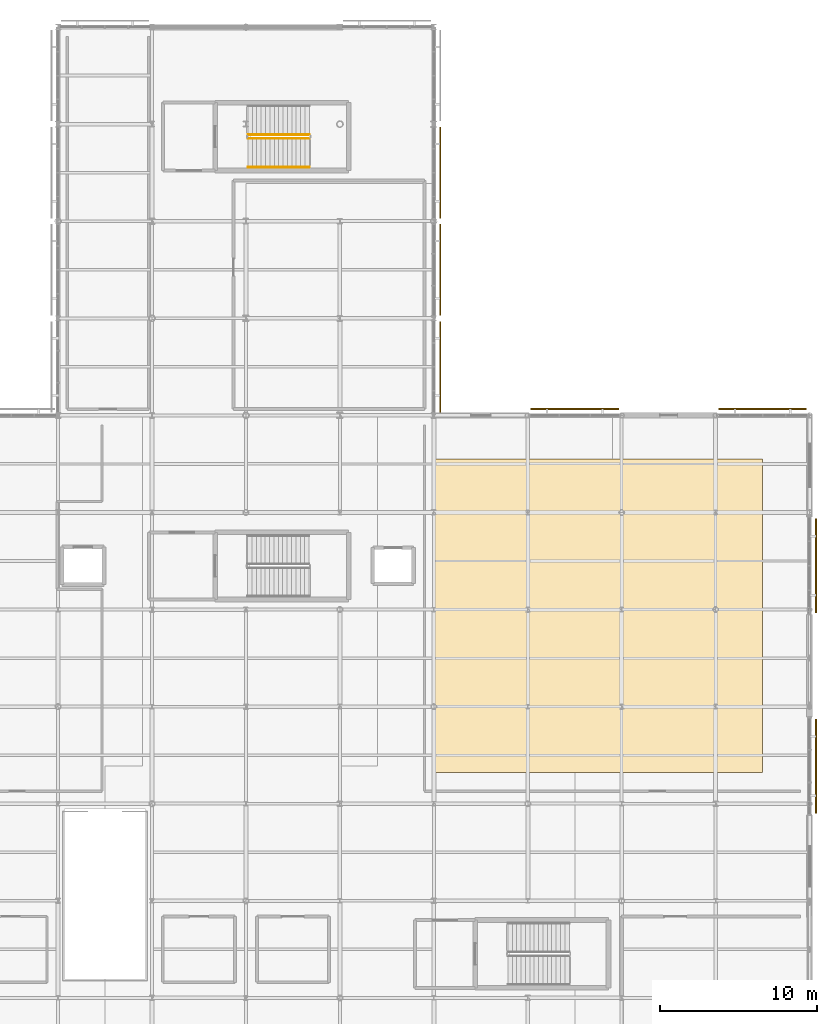
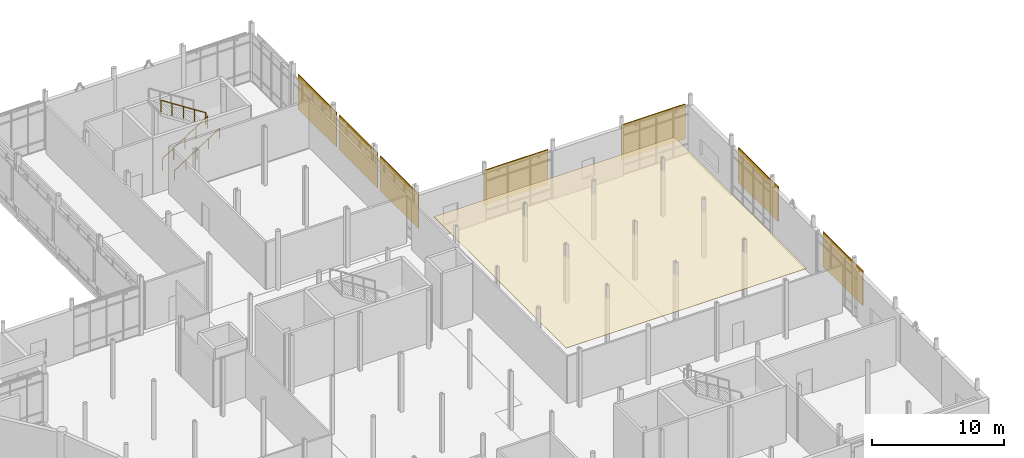
# One storey, part 104 of 105: 7 shading devices, 3 railings, 1 covering.
"""IFC4 building model written with IfcOpenShell, lengths in metres."""

import ifcopenshell
import ifcopenshell.guid

model = None  # the IFC model being written
_history = None  # IfcOwnerHistory: only IFC2X3 demands one
_inside = {}  # id of a spatial element -> (the spatial element, [elements in it])
_under = {}  # id of a project, library or spatial element -> (it, [spatial elements below it])
_declared = {}  # id of a project -> (the project, [libraries it declares])
_typed = {}  # id of a type object -> (the type object, [elements of that type])
_made_of = {}  # id of a material, layer set ... -> (it, [elements and type objects made of it])


def new_model(schema):
    """Start an empty IFC model of exactly this schema.

    Asked for "IFC4X3", IfcOpenShell would pick the latest addendum, in which some entities
    have other attributes; the version numbers below select the first issue.
    IFC2X3 requires an IfcOwnerHistory on every rooted entity: one is made here for all.
    """
    global model, _history
    if schema == "IFC4X3":
        model = ifcopenshell.file(schema_version=(4, 3, 0, 0))
    else:
        model = ifcopenshell.file(schema=schema)
    _inside.clear()
    _under.clear()
    _declared.clear()
    _typed.clear()
    _made_of.clear()
    _history = None
    if model.schema == "IFC2X3":
        org = make("IfcOrganization", Name="unknown")
        user = make(
            "IfcPersonAndOrganization",
            ThePerson=make("IfcPerson", FamilyName="unknown"),
            TheOrganization=org,
        )
        app = make(
            "IfcApplication",
            ApplicationDeveloper=org,
            Version="unknown",
            ApplicationFullName="unknown",
            ApplicationIdentifier="unknown",
        )
        _history = make(
            "IfcOwnerHistory",
            OwningUser=user,
            OwningApplication=app,
            ChangeAction="ADDED",
            CreationDate=0,
        )
    return model


def make(cls, **values):
    """One entity of the class cls with the attributes given. An attribute that is None is left unset."""
    return model.create_entity(
        cls, **{name: value for name, value in values.items() if value is not None}
    )


def rooted(cls, **values):
    """An entity with a GlobalId (a new one), such as an element, a storey or a relation."""
    return make(cls, GlobalId=ifcopenshell.guid.new(), OwnerHistory=_history, **values)


def si_unit(unit_type, name, prefix=None):
    """IfcSIUnit, for example si_unit("LENGTHUNIT", "METRE", prefix="MILLI")."""
    return make("IfcSIUnit", UnitType=unit_type, Prefix=prefix, Name=name)


def assignment(units):
    """IfcUnitAssignment: the units of a project."""
    return None if units is None else make("IfcUnitAssignment", Units=units)


def point(xyz):
    """IfcCartesianPoint."""
    return None if xyz is None else make("IfcCartesianPoint", Coordinates=xyz)


def direction(xyz):
    """IfcDirection."""
    return None if xyz is None else make("IfcDirection", DirectionRatios=xyz)


def frame(location, z_axis=None, x_axis=None):
    """IfcAxis2Placement3D, a coordinate frame: its origin and axes. An axis left out is left unset."""
    return make(
        "IfcAxis2Placement3D",
        Location=point(location),
        Axis=direction(z_axis),
        RefDirection=direction(x_axis),
    )


def frame_2d(location, x_axis=None):
    """IfcAxis2Placement2D, a coordinate frame in the plane: its origin and x axis."""
    return make(
        "IfcAxis2Placement2D", Location=point(location), RefDirection=direction(x_axis)
    )


def origin():
    """The frame at (0, 0, 0) with its axes left unset."""
    return frame((0.0, 0.0, 0.0))


def origin_2d():
    """The frame at (0, 0) in the plane with its x axis left unset."""
    return frame_2d((0.0, 0.0))


def place(relative_to, where):
    """IfcLocalPlacement: puts the frame where relative to a parent placement (None: the world)."""
    return make(
        "IfcLocalPlacement", PlacementRelTo=relative_to, RelativePlacement=where
    )


def context(
    kind, dimensions, precision=None, world=None, true_north=None, identifier=None
):
    """IfcGeometricRepresentationContext, for example the 3D "Model" context."""
    return make(
        "IfcGeometricRepresentationContext",
        ContextIdentifier=identifier,
        ContextType=kind,
        CoordinateSpaceDimension=dimensions,
        Precision=precision,
        WorldCoordinateSystem=world,
        TrueNorth=true_north,
    )


def subcontext(parent, identifier, kind, view, scale=None):
    """IfcGeometricRepresentationSubContext, for example "Body" below "Model"."""
    return make(
        "IfcGeometricRepresentationSubContext",
        ContextIdentifier=identifier,
        ContextType=kind,
        ParentContext=parent,
        TargetScale=scale,
        TargetView=view,
    )


def project(units=None, contexts=None):
    """IfcProject with its units and contexts."""
    return rooted(
        "IfcProject",
        Name="project",
        RepresentationContexts=contexts,
        UnitsInContext=assignment(units),
    )


def spatial(cls, under=None, at=None, **own):
    """A site, building, storey or space (cls), placed at a placement, below another one or the project."""
    s = rooted(cls, ObjectPlacement=at, **own)
    if under is not None:
        _under.setdefault(under.id(), (under, []))[1].append(s)
    return s


def polyline(points):
    """IfcPolyline through the points."""
    return make("IfcPolyline", Points=[point(p) for p in points])


def profile(cls, at=None, kind="AREA", **sizes):
    """A parametric profile (cls). Its sizes go by their IFC names, for example OverallWidth=200.0."""
    return make(cls, ProfileType=kind, Position=at, **sizes)


def rectangle(**sizes):
    """IfcRectangleProfileDef."""
    return profile("IfcRectangleProfileDef", **sizes)


def circle(**sizes):
    """IfcCircleProfileDef."""
    return profile("IfcCircleProfileDef", **sizes)


def outline(outer, holes=None, kind="AREA"):
    """IfcArbitraryClosedProfileDef: a profile drawn as a closed curve; with holes, ...WithVoids."""
    if holes is None:
        return make("IfcArbitraryClosedProfileDef", ProfileType=kind, OuterCurve=outer)
    return make(
        "IfcArbitraryProfileDefWithVoids",
        ProfileType=kind,
        OuterCurve=outer,
        InnerCurves=holes,
    )


def extrude(swept, where, along, depth):
    """IfcExtrudedAreaSolid: the profile swept, set in the frame where, extruded along a direction by depth."""
    return make(
        "IfcExtrudedAreaSolid",
        SweptArea=swept,
        Position=where,
        ExtrudedDirection=direction(along),
        Depth=depth,
    )


def shape(context_of_items, identifier, shape_type, items):
    """IfcShapeRepresentation: the items that make up one representation, for example the "Body"."""
    return make(
        "IfcShapeRepresentation",
        ContextOfItems=context_of_items,
        RepresentationIdentifier=identifier,
        RepresentationType=shape_type,
        Items=items,
    )


def material(Name=None, Category=None):
    """IfcMaterial."""
    return make("IfcMaterial", Name=Name, Category=Category)


def layer(
    of_material, thickness, ventilated=None, Name=None, Category=None, Priority=None
):
    """IfcMaterialLayer: one layer of a wall or slab, of a material (None: an air gap)."""
    return make(
        "IfcMaterialLayer",
        Material=of_material,
        LayerThickness=thickness,
        IsVentilated=ventilated,
        Name=Name,
        Category=Category,
        Priority=Priority,
    )


def layer_set(layers, Name=None):
    """IfcMaterialLayerSet."""
    return make("IfcMaterialLayerSet", MaterialLayers=layers, LayerSetName=Name)


def made_of(thing, what):
    """Note that an element or type object is made of a material, layer set ...; save() writes the relation."""
    if what is not None:
        _made_of.setdefault(what.id(), (what, []))[1].append(thing)
    return thing


def type_object(cls, material=None, **own):
    """A type object (cls), such as IfcWallType, which elements share."""
    return made_of(rooted(cls, **own), material)


def element(
    cls,
    number,
    at=None,
    inside=None,
    cuts=None,
    type_object=None,
    material=None,
    context=None,
    identifier="Body",
    shape_type=None,
    held_by="IfcProductDefinitionShape",
    body=None,
    shapes=None,
    **own,
):
    """One element of the class cls, such as IfcWall. Its Tag is "e" and its number.

    at: its placement. inside: the storey or other place that contains it. cuts: it is an
    opening in that element (IfcRelVoidsElement). A single representation is given by context,
    identifier, shape_type and body (its items); several are given by shapes. held_by: the class
    of the entity that holds the representations. save() writes the other relations.
    """
    e = rooted(cls, Tag="e%d" % number, ObjectPlacement=at, **own)
    if body is not None:
        shapes = [shape(context, identifier, shape_type, body)]
    if shapes is not None:
        e.Representation = make(held_by, Representations=shapes)
    if inside is not None:
        _inside.setdefault(inside.id(), (inside, []))[1].append(e)
    if cuts is not None:
        rooted(
            "IfcRelVoidsElement", RelatingBuildingElement=cuts, RelatedOpeningElement=e
        )
    if type_object is not None:
        _typed.setdefault(type_object.id(), (type_object, []))[1].append(e)
    return made_of(e, material)


def aggregate(whole, parts):
    """IfcRelAggregates: a whole, such as a stair, and the parts it consists of."""
    return rooted("IfcRelAggregates", RelatingObject=whole, RelatedObjects=parts)


def save(model, path):
    """Write the relations noted so far, then the file.

    IfcRelAggregates (storeys below a building ...), IfcRelContainedInSpatialStructure (elements
    in a storey), IfcRelDefinesByType, IfcRelAssociatesMaterial and IfcRelDeclares: one each for
    every whole, place, type object, material and project.
    """
    for whole, parts in _under.values():
        aggregate(whole, parts)
    for where, things in _inside.values():
        rooted(
            "IfcRelContainedInSpatialStructure",
            RelatedElements=things,
            RelatingStructure=where,
        )
    for kind, things in _typed.values():
        rooted("IfcRelDefinesByType", RelatedObjects=things, RelatingType=kind)
    for what, things in _made_of.values():
        rooted("IfcRelAssociatesMaterial", RelatedObjects=things, RelatingMaterial=what)
    for by, libraries in _declared.values():
        rooted("IfcRelDeclares", RelatingContext=by, RelatedDefinitions=libraries)
    model.write(path)


model = new_model("IFC4")

# Units and contexts
model_context = context("Model", 3, precision=1e-05, world=origin(), true_north=direction((0.0, 1.0)))
body_context = subcontext(model_context, "Body", "Model", "MODEL_VIEW")
ifc_project = project(units=[si_unit("LENGTHUNIT", "METRE"), si_unit("AREAUNIT", "SQUARE_METRE"), si_unit("VOLUMEUNIT", "CUBIC_METRE"), si_unit("PLANEANGLEUNIT", "RADIAN"), si_unit("MASSUNIT", "GRAM", prefix="KILO")], contexts=[model_context])

# Site, building, storey
site_placement = place(None, origin())
site = spatial("IfcSite", under=ifc_project, at=site_placement, CompositionType="ELEMENT")
building_placement = place(site_placement, origin())
building = spatial("IfcBuilding", under=site, at=building_placement, Name="Mirzam Square Science Centre", CompositionType="ELEMENT")
storey_placement = place(building_placement, frame((0.0, 0.0, 5.39990234375)))
storey = spatial("IfcBuildingStorey", under=building, at=storey_placement, Name="L01", CompositionType="ELEMENT", Elevation=5.39990234375)

# Covering
ifc_material_1 = material(Name="Perforated Mineral-Wool Acoustic Ceiling", Category="gypsum")
ifc_layer_1 = layer(ifc_material_1, 0.0400390625)
ifc_layer_set_1 = layer_set([ifc_layer_1], Name="COV-ACOUST-CEIL")
covering_type = type_object("IfcCoveringType", Name="COV-ACOUST-CEIL", PredefinedType="CEILING", material=ifc_layer_set_1)
covering_placement = place(storey_placement, frame((0.0, 0.0, 4.110107421875)))
element("IfcCovering", 1, at=covering_placement, inside=storey, type_object=covering_type, Name="L01 acoustic ceiling 03", PredefinedType="CEILING", context=body_context, shape_type="SweptSolid", body=[
    extrude(outline(polyline([(138.0, 64.0), (159.0, 64.0), (159.0, 84.0), (138.0, 84.0), (138.0, 64.0)])), origin(), (0.0, 0.0, 1.0), 0.0400390625),
])

# Railings
ifc_material_2 = material(Name="Bronze-Anodised Architectural Balustrade", Category="aluminium")
railing_type_1 = type_object("IfcRailingType", Name="RL-INT-GUARD-1100", PredefinedType="GUARDRAIL", material=ifc_material_2)
railing_1_placement = place(storey_placement, frame((126.1298828125, 104.47998046875, 0.18017578125)))
element("IfcRailing", 2, at=railing_1_placement, inside=storey, type_object=railing_type_1, Name="L01 ST-11 stair guard 1", PredefinedType="GUARDRAIL", context=body_context, shape_type="SweptSolid", body=[
    extrude(circle(Radius=0.02392578125, at=origin_2d()), frame((0.0, 0.0, 1.076171875), z_axis=(0.841186985886, 0.0, 0.540744352514), x_axis=(0.0, 1.0, 0.0)), (0.0, 0.0, 1.0), 4.660400390625),
    extrude(circle(Radius=0.02099609375, at=origin_2d()), origin(), (0.0, 0.0, 1.0), 1.052001953125),
    extrude(circle(Radius=0.02099609375, at=origin_2d()), frame((0.97998046875, 0.0, 0.6298828125)), (0.0, 0.0, 1.0), 1.052001953125),
    extrude(circle(Radius=0.02099609375, at=origin_2d()), frame((1.9599609375, 0.0, 1.260009765625)), (0.0, 0.0, 1.0), 1.052001953125),
    extrude(circle(Radius=0.02099609375, at=origin_2d()), frame((2.940185546875, 0.0, 1.89013671875)), (0.0, 0.0, 1.0), 1.052001953125),
    extrude(circle(Radius=0.02099609375, at=origin_2d()), frame((3.920166015625, 0.0, 2.52001953125)), (0.0, 0.0, 1.0), 1.052001953125),
])
railing_2_placement = place(storey_placement, frame((130.050048828125, 104.72998046875, 2.880126953125)))
element("IfcRailing", 3, at=railing_2_placement, inside=storey, type_object=railing_type_1, Name="L01 ST-11 stair guard 3", PredefinedType="GUARDRAIL", context=body_context, shape_type="SweptSolid", body=[
    extrude(circle(Radius=0.02392578125, at=origin_2d()), frame((0.0, 0.0, 1.076171875), z_axis=(-0.841186985886, 0.0, 0.540744352514), x_axis=(0.0, -1.0, 0.0)), (0.0, 0.0, 1.0), 4.660400390625),
    extrude(circle(Radius=0.02099609375, at=origin_2d()), origin(), (0.0, 0.0, 1.0), 1.052001953125),
    extrude(circle(Radius=0.02099609375, at=origin_2d()), frame((-0.97998046875, 0.0, 0.6298828125)), (0.0, 0.0, 1.0), 1.052001953125),
    extrude(circle(Radius=0.02099609375, at=origin_2d()), frame((-1.9599609375, 0.0, 1.260009765625)), (0.0, 0.0, 1.0), 1.052001953125),
    extrude(circle(Radius=0.02099609375, at=origin_2d()), frame((-2.940185546875, 0.0, 1.89013671875)), (0.0, 0.0, 1.0), 1.052001953125),
    extrude(circle(Radius=0.02099609375, at=origin_2d()), frame((-3.920166015625, 0.0, 2.52001953125)), (0.0, 0.0, 1.0), 1.052001953125),
])
ifc_material_3 = material(Name="Brushed Bronze Tubular Handrail", Category="aluminium")
railing_type_2 = type_object("IfcRailingType", Name="RL-STAIR-HANDRAIL-900", PredefinedType="HANDRAIL", material=ifc_material_3)
railing_3_placement = place(storey_placement, frame((126.1298828125, 102.64990234375, 0.3720703125)))
element("IfcRailing", 4, at=railing_3_placement, inside=storey, type_object=railing_type_2, Name="L01 ST-11 stair handrail 1", PredefinedType="HANDRAIL", context=body_context, shape_type="SweptSolid", body=[
    extrude(circle(Radius=0.02392578125, at=origin_2d()), frame((0.0, 0.0, 0.8759765625), z_axis=(0.841186985886, 0.0, 0.540744352514), x_axis=(0.0, 1.0, 0.0)), (0.0, 0.0, 1.0), 4.660400390625),
    extrude(circle(Radius=0.02099609375, at=origin_2d()), origin(), (0.0, 0.0, 1.0), 0.851806640625),
    extrude(circle(Radius=0.02099609375, at=origin_2d()), frame((0.97998046875, 0.0, 0.6298828125)), (0.0, 0.0, 1.0), 0.851806640625),
    extrude(circle(Radius=0.02099609375, at=origin_2d()), frame((1.9599609375, 0.0, 1.260009765625)), (0.0, 0.0, 1.0), 0.851806640625),
    extrude(circle(Radius=0.02099609375, at=origin_2d()), frame((2.940185546875, 0.0, 1.89013671875)), (0.0, 0.0, 1.0), 0.851806640625),
    extrude(circle(Radius=0.02099609375, at=origin_2d()), frame((3.920166015625, 0.0, 2.52001953125)), (0.0, 0.0, 1.0), 0.851806640625),
])

# Shading devices
ifc_material_4 = material(Name="Perforated Bronze-Anodised Aluminium Brise-Soleil", Category="aluminium")
ifc_layer_2 = layer(ifc_material_4, 0.080078125)
ifc_layer_set_2 = layer_set([ifc_layer_2], Name="SHD-BRISE-BRONZE")
shading_device_type = type_object("IfcShadingDeviceType", Name="SHD-BRISE-BRONZE", PredefinedType="JALOUSIE", material=ifc_layer_set_2)
for number, where, z_axis, x_axis, name in (
    (5, (162.409912109375, 64.39990234375, 1.09033203125), (0.0, 0.0, 1.0), (0.0, 1.0, 0.0), "L01 bronze brise-soleil screen 75"),
    (6, (162.409912109375, 77.199951171875, 1.09033203125), (0.0, 0.0, 1.0), (0.0, 1.0, 0.0), "L01 bronze brise-soleil screen 76"),
):
    element("IfcShadingDevice", number, at=place(storey_placement, frame(where, z_axis=z_axis, x_axis=x_axis)), inside=storey, type_object=shading_device_type, Name=name, PredefinedType="JALOUSIE", context=body_context, shape_type="SweptSolid", body=[
        extrude(rectangle(XDim=5.989990234375, YDim=0.080078125, at=origin_2d()), origin(), (0.0, 0.0, 1.0), 3.199951171875),
    ])
for number, where, z_axis, x_axis, name in (
    (7, (159.0, 87.2099609375, 1.09033203125), (0.0, 0.0, 1.0), (-1.0, 0.0, 0.0), "L01 bronze brise-soleil screen 77"),
    (8, (147.0, 87.2099609375, 1.09033203125), (0.0, 0.0, 1.0), (-1.0, 0.0, 0.0), "L01 bronze brise-soleil screen 78"),
):
    element("IfcShadingDevice", number, at=place(storey_placement, frame(where, z_axis=z_axis, x_axis=x_axis)), inside=storey, type_object=shading_device_type, Name=name, PredefinedType="JALOUSIE", context=body_context, shape_type="SweptSolid", body=[
        extrude(rectangle(XDim=5.590087890625, YDim=0.080078125, at=origin_2d()), origin(), (0.0, 0.0, 1.0), 3.199951171875),
    ])
for number, where, z_axis, x_axis, name in (
    (9, (138.409912109375, 89.89990234375, 1.09033203125), (0.0, 0.0, 1.0), (0.0, 1.0, 0.0), "L01 bronze brise-soleil screen 83"),
    (10, (138.409912109375, 96.10009765625, 1.09033203125), (0.0, 0.0, 1.0), (0.0, 1.0, 0.0), "L01 bronze brise-soleil screen 85"),
    (11, (138.409912109375, 102.300048828125, 1.09033203125), (0.0, 0.0, 1.0), (0.0, 1.0, 0.0), "L01 bronze brise-soleil screen 87"),
):
    element("IfcShadingDevice", number, at=place(storey_placement, frame(where, z_axis=z_axis, x_axis=x_axis)), inside=storey, type_object=shading_device_type, Name=name, PredefinedType="JALOUSIE", context=body_context, shape_type="SweptSolid", body=[
        extrude(rectangle(XDim=5.7900390625, YDim=0.080078125, at=origin_2d()), origin(), (0.0, 0.0, 1.0), 3.199951171875),
    ])

save(model, "model.ifc")
